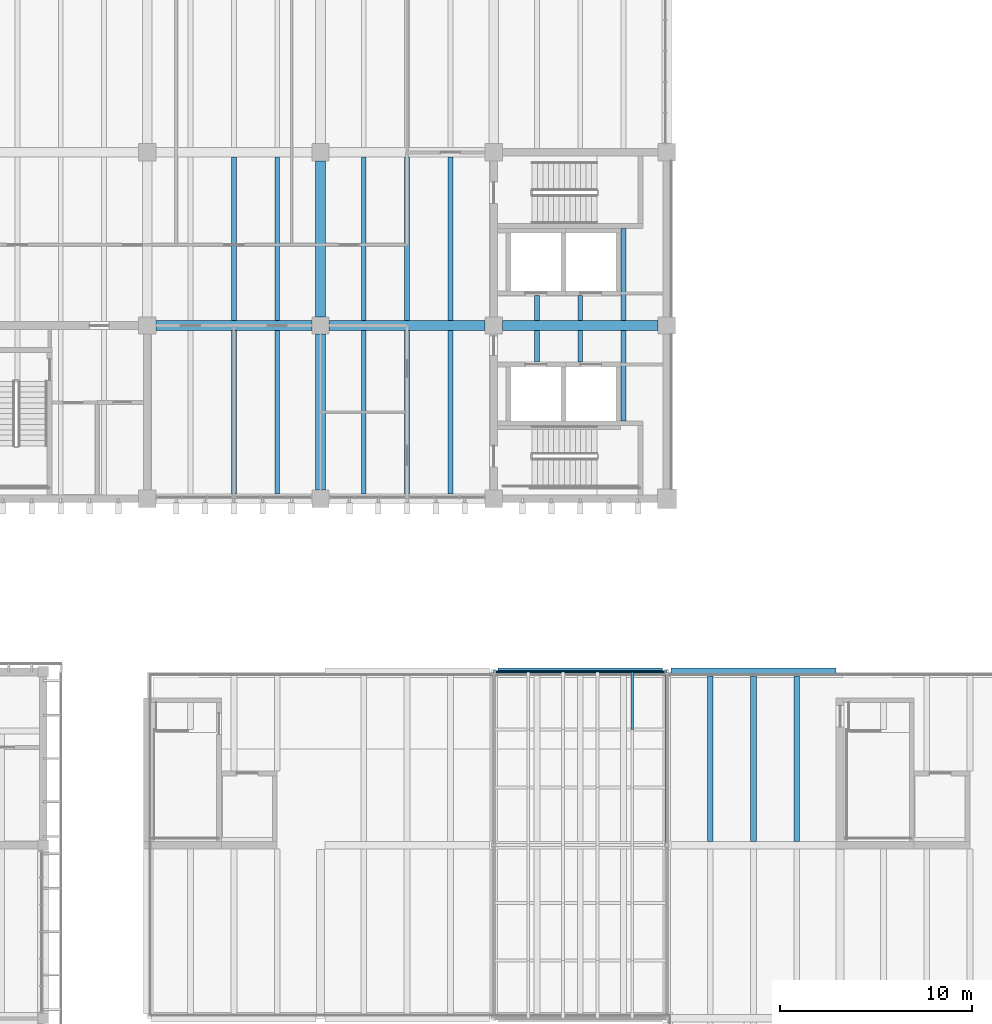
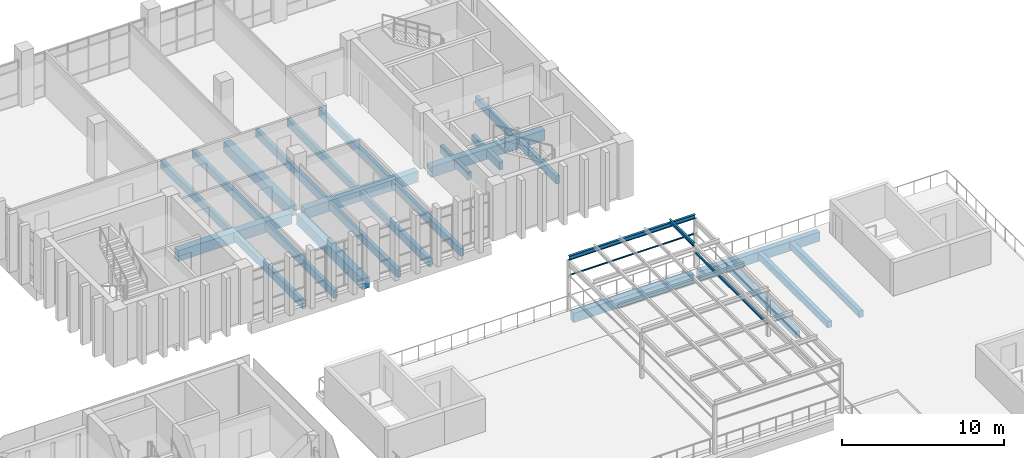
# One storey, part 25 of 74: 27 beams, 3 members.
"""IFC4 building model written with IfcOpenShell, lengths in metres."""

from ifc_helpers import new_model, si_unit, direction, frame, origin, origin_2d, place, context, subcontext, project, spatial, rectangle, hollow_rectangle, hollow_circle, i_section, extrude, material, material_profile, profile_set, type_object, element, save


model = new_model("IFC4")

# Units and contexts
model_context = context("Model", 3, precision=1e-05, world=origin(), true_north=direction((0.0, 1.0)))
body_context = subcontext(model_context, "Body", "Model", "MODEL_VIEW")
ifc_project = project(units=[si_unit("LENGTHUNIT", "METRE"), si_unit("AREAUNIT", "SQUARE_METRE"), si_unit("VOLUMEUNIT", "CUBIC_METRE"), si_unit("PLANEANGLEUNIT", "RADIAN"), si_unit("MASSUNIT", "GRAM", prefix="KILO")], contexts=[model_context])

# Site, building, storey
site_placement = place(None, origin())
site = spatial("IfcSite", under=ifc_project, at=site_placement, CompositionType="ELEMENT")
building_placement = place(site_placement, origin())
building = spatial("IfcBuilding", under=site, at=building_placement, Name="Merrow Basin Faculty of Sciences", CompositionType="ELEMENT")
storey_placement = place(building_placement, frame((0.0, 0.0, 13.5)))
storey = spatial("IfcBuildingStorey", under=building, at=storey_placement, Name="L03", CompositionType="ELEMENT", Elevation=13.5)

# Beams
ifc_material_1 = material(Name="Concrete C40/50", Category="concrete")
ifc_material_profile_1 = material_profile(ifc_material_1, rectangle(XDim=0.39990234375, YDim=0.699951171875, at=origin_2d()))
ifc_profile_set_1 = profile_set([ifc_material_profile_1], Name="Concrete C40/50")
beam_type_1 = type_object("IfcBeamType", Name="Beam RC400x700 C40/50", PredefinedType="BEAM", material=ifc_profile_set_1)
for number, where, z_axis, x_axis, name in (
    (1, (45.22509765625, 133.0, -0.699951171875), (1.0, 0.0, 0.0), (0.0, 1.0, 0.0), "B3 L03 018"),
    (2, (54.22509765625, 133.0, -0.699951171875), (1.0, 0.0, 0.0), (0.0, 1.0, 0.0), "B3 L03 019"),
):
    element("IfcBeam", number, at=place(storey_placement, frame(where, z_axis=z_axis, x_axis=x_axis)), inside=storey, type_object=beam_type_1, Name=name, PredefinedType="BEAM", context=body_context, shape_type="SweptSolid", body=[
        extrude(rectangle(XDim=0.39990234375, YDim=0.699951171875, at=origin_2d()), origin(), (0.0, 0.0, 1.0), 8.5498046875),
    ])
ifc_material_2 = material(Name="Concrete C40/50", Category="concrete")
ifc_material_profile_2 = material_profile(ifc_material_2, rectangle(XDim=0.5, YDim=0.800048828125, at=origin_2d()))
ifc_profile_set_2 = profile_set([ifc_material_profile_2], Name="Concrete C40/50")
beam_type_2 = type_object("IfcBeamType", Name="Beam RC500x800 C40/50", PredefinedType="BEAM", material=ifc_profile_set_2)
for number, where, z_axis, x_axis, name in (
    (3, (27.449951171875, 151.0, -0.699951171875), (1.0, 0.0, 0.0), (0.0, 1.0, 0.0), "B4 L03 003"),
    (4, (36.449951171875, 151.0, -0.699951171875), (1.0, 0.0, 0.0), (0.0, 1.0, 0.0), "B4 L03 004"),
    (5, (45.449951171875, 151.0, -0.699951171875), (1.0, 0.0, 0.0), (0.0, 1.0, 0.0), "B4 L03 005"),
    (6, (36.0, 142.449951171875, -0.699951171875), (0.0, 1.0, 0.0), (-1.0, 0.0, 0.0), "B4 L03 017"),
    (7, (36.0, 151.449951171875, -0.699951171875), (0.0, 1.0, 0.0), (-1.0, 0.0, 0.0), "B4 L03 018"),
):
    element("IfcBeam", number, at=place(storey_placement, frame(where, z_axis=z_axis, x_axis=x_axis)), inside=storey, type_object=beam_type_2, Name=name, PredefinedType="BEAM", context=body_context, shape_type="SweptSolid", body=[
        extrude(rectangle(XDim=0.5, YDim=0.800048828125, at=origin_2d()), origin(), (0.0, 0.0, 1.0), 8.10009765625),
    ])
ifc_material_3 = material(Name="Concrete C40/50", Category="concrete")
ifc_material_profile_3 = material_profile(ifc_material_3, rectangle(XDim=0.300048828125, YDim=0.5, at=origin_2d()))
ifc_profile_set_3 = profile_set([ifc_material_profile_3], Name="Concrete C40/50")
beam_type_3 = type_object("IfcBeamType", Name="Terrace roof joist RC300x500 C40/50", PredefinedType="BEAM", material=ifc_profile_set_3)
for number, where, z_axis, x_axis, name in (
    (8, (56.25, 124.199951171875, -0.60009765625), (0.0, 1.0, 0.0), (-1.0, 0.0, 0.0), "JD1 L03 092"),
    (9, (58.5, 124.199951171875, -0.60009765625), (0.0, 1.0, 0.0), (-1.0, 0.0, 0.0), "JD1 L03 093"),
    (10, (60.75, 124.199951171875, -0.60009765625), (0.0, 1.0, 0.0), (-1.0, 0.0, 0.0), "JD1 L03 094"),
):
    element("IfcBeam", number, at=place(storey_placement, frame(where, z_axis=z_axis, x_axis=x_axis)), inside=storey, type_object=beam_type_3, Name=name, PredefinedType="BEAM", context=body_context, shape_type="SweptSolid", body=[
        extrude(rectangle(XDim=0.300048828125, YDim=0.5, at=origin_2d()), origin(), (0.0, 0.0, 1.0), 8.60009765625),
    ])
ifc_material_4 = material(Name="Concrete C40/50", Category="concrete")
ifc_material_profile_4 = material_profile(ifc_material_4, rectangle(XDim=0.25, YDim=0.60009765625, at=origin_2d()))
ifc_profile_set_4 = profile_set([ifc_material_profile_4], Name="Concrete C40/50")
beam_type_4 = type_object("IfcBeamType", Name="Tower floor joist RC250x600 C40/50", PredefinedType="BEAM", material=ifc_profile_set_4)
for number, where, z_axis, x_axis, name in (
    (11, (31.5, 142.25, -0.60009765625), (0.0, 1.0, 0.0), (-1.0, 0.0, 0.0), "JT1 L03 033"),
    (12, (33.75, 142.25, -0.60009765625), (0.0, 1.0, 0.0), (-1.0, 0.0, 0.0), "JT1 L03 034"),
    (13, (31.5, 151.25, -0.60009765625), (0.0, 1.0, 0.0), (-1.0, 0.0, 0.0), "JT1 L03 036"),
    (14, (33.75, 151.25, -0.60009765625), (0.0, 1.0, 0.0), (-1.0, 0.0, 0.0), "JT1 L03 037"),
    (15, (38.25, 142.25, -0.60009765625), (0.0, 1.0, 0.0), (-1.0, 0.0, 0.0), "JT1 L03 041"),
    (16, (40.5, 142.25, -0.60009765625), (0.0, 1.0, 0.0), (-1.0, 0.0, 0.0), "JT1 L03 042"),
    (17, (42.75, 142.25, -0.60009765625), (0.0, 1.0, 0.0), (-1.0, 0.0, 0.0), "JT1 L03 043"),
    (18, (38.25, 151.25, -0.60009765625), (0.0, 1.0, 0.0), (-1.0, 0.0, 0.0), "JT1 L03 044"),
    (19, (40.5, 151.25, -0.60009765625), (0.0, 1.0, 0.0), (-1.0, 0.0, 0.0), "JT1 L03 045"),
    (20, (42.75, 151.25, -0.60009765625), (0.0, 1.0, 0.0), (-1.0, 0.0, 0.0), "JT1 L03 046"),
):
    element("IfcBeam", number, at=place(storey_placement, frame(where, z_axis=z_axis, x_axis=x_axis)), inside=storey, type_object=beam_type_4, Name=name, PredefinedType="BEAM", context=body_context, shape_type="SweptSolid", body=[
        extrude(rectangle(XDim=0.25, YDim=0.60009765625, at=origin_2d()), origin(), (0.0, 0.0, 1.0), 8.5),
    ])
for number, where, z_axis, x_axis, name in (
    (21, (47.25, 149.10009765625, -0.60009765625), (0.0, 1.0, 0.0), (-1.0, 0.0, 0.0), "JT1 L03 050"),
    (22, (49.5, 149.10009765625, -0.60009765625), (0.0, 1.0, 0.0), (-1.0, 0.0, 0.0), "JT1 L03 051"),
):
    element("IfcBeam", number, at=place(storey_placement, frame(where, z_axis=z_axis, x_axis=x_axis)), inside=storey, type_object=beam_type_4, Name=name, PredefinedType="BEAM", context=body_context, shape_type="SweptSolid", body=[
        extrude(rectangle(XDim=0.25, YDim=0.60009765625, at=origin_2d()), origin(), (0.0, 0.0, 1.0), 1.64990234375),
    ])
beam_1_placement = place(storey_placement, frame((51.75, 146.050048828125, -0.60009765625), z_axis=(0.0, 1.0, 0.0), x_axis=(-1.0, 0.0, 0.0)))
element("IfcBeam", 23, at=beam_1_placement, inside=storey, type_object=beam_type_4, Name="JT1 L03 052", PredefinedType="BEAM", context=body_context, shape_type="SweptSolid", body=[
    extrude(rectangle(XDim=0.25, YDim=0.60009765625, at=origin_2d()), origin(), (0.0, 0.0, 1.0), 4.699951171875),
])
for number, where, z_axis, x_axis, name in (
    (24, (47.25, 151.25, -0.60009765625), (0.0, 1.0, 0.0), (-1.0, 0.0, 0.0), "JT1 L03 053"),
    (25, (49.5, 151.25, -0.60009765625), (0.0, 1.0, 0.0), (-1.0, 0.0, 0.0), "JT1 L03 054"),
):
    element("IfcBeam", number, at=place(storey_placement, frame(where, z_axis=z_axis, x_axis=x_axis)), inside=storey, type_object=beam_type_4, Name=name, PredefinedType="BEAM", context=body_context, shape_type="SweptSolid", body=[
        extrude(rectangle(XDim=0.25, YDim=0.60009765625, at=origin_2d()), origin(), (0.0, 0.0, 1.0), 1.300048828125),
    ])
beam_2_placement = place(storey_placement, frame((51.75, 151.25, -0.60009765625), z_axis=(0.0, 1.0, 0.0), x_axis=(-1.0, 0.0, 0.0)))
element("IfcBeam", 26, at=beam_2_placement, inside=storey, type_object=beam_type_4, Name="JT1 L03 055", PredefinedType="BEAM", context=body_context, shape_type="SweptSolid", body=[
    extrude(rectangle(XDim=0.25, YDim=0.60009765625, at=origin_2d()), origin(), (0.0, 0.0, 1.0), 4.800048828125),
])

# Members
ifc_material_5 = material(Name="Steel ASTM A500 Gr C", Category="steel")
ifc_material_profile_5 = material_profile(ifc_material_5, hollow_circle(Radius=0.05712890625, WallThickness=0.00634765625, at=origin_2d()))
ifc_profile_set_5 = profile_set([ifc_material_profile_5], Name="Steel ASTM A500 Gr C")
member_type_1 = type_object("IfcMemberType", Name="Trellis brace CHS114x6.4", PredefinedType="BRACE", material=ifc_profile_set_5)
member_1_placement = place(storey_placement, frame((45.117919921875, 133.0, 2.492919921875), z_axis=(1.0, 0.0, 0.0), x_axis=(0.0, 1.0, 0.0)))
element("IfcMember", 27, at=member_1_placement, inside=storey, type_object=member_type_1, Name="TB1 L03 026", PredefinedType="BRACE", context=body_context, shape_type="SweptSolid", body=[
    extrude(hollow_circle(Radius=0.05712890625, WallThickness=0.00634765625, at=origin_2d()), origin(), (0.0, 0.0, 1.0), 8.76416015625),
])
ifc_material_6 = material(Name="Steel ASTM A500 Gr C", Category="steel")
ifc_material_profile_6 = material_profile(ifc_material_6, hollow_rectangle(XDim=0.126953125, YDim=0.126953125, WallThickness=0.00634765625, at=origin_2d()))
ifc_profile_set_6 = profile_set([ifc_material_profile_6], Name="Steel ASTM A500 Gr C")
member_type_2 = type_object("IfcMemberType", Name="Trellis kick rail HSS127x127x6.4", PredefinedType="MEMBER", material=ifc_profile_set_6)
member_2_placement = place(storey_placement, frame((54.0, 124.117919921875, 1.10009765625), z_axis=(0.0, 1.0, 0.0), x_axis=(-1.0, 0.0, 0.0)))
element("IfcMember", 28, at=member_2_placement, inside=storey, type_object=member_type_2, Name="TK1 L03 034", PredefinedType="MEMBER", context=body_context, shape_type="SweptSolid", body=[
    extrude(hollow_rectangle(XDim=0.126953125, YDim=0.126953125, WallThickness=0.00634765625, at=origin_2d()), origin(), (0.0, 0.0, 1.0), 8.76513671875),
])

# Beam
ifc_material_7 = material(Name="Steel ASTM A992", Category="steel")
ifc_material_profile_7 = material_profile(ifc_material_7, i_section(OverallWidth=0.1650390625, OverallDepth=0.31005859375, WebThickness=0.005859375, FlangeThickness=0.009765625, at=origin_2d()))
ifc_profile_set_7 = profile_set([ifc_material_profile_7], Name="Steel ASTM A992")
beam_type_5 = type_object("IfcBeamType", Name="Trellis purlin beam W310x39", PredefinedType="BEAM", material=ifc_profile_set_7)
beam_3_placement = place(storey_placement, frame((45.0, 133.0, 3.804931640625), z_axis=(1.0, 0.0, 0.0), x_axis=(0.0, 1.0, 0.0)))
element("IfcBeam", 29, at=beam_3_placement, inside=storey, type_object=beam_type_5, Name="TP1 L03 052", PredefinedType="BEAM", context=body_context, shape_type="SweptSolid", body=[
    extrude(i_section(OverallWidth=0.1650390625, OverallDepth=0.31005859375, WebThickness=0.005859375, FlangeThickness=0.009765625, at=origin_2d()), origin(), (0.0, 0.0, 1.0), 9.0),
])

# Member
ifc_material_8 = material(Name="Steel ASTM A992", Category="steel")
ifc_material_profile_8 = material_profile(ifc_material_8, i_section(OverallWidth=0.14599609375, OverallDepth=0.258056640625, WebThickness=0.006103515625, FlangeThickness=0.009033203125, at=origin_2d()))
ifc_profile_set_8 = profile_set([ifc_material_profile_8], Name="Steel ASTM A992")
member_type_3 = type_object("IfcMemberType", Name="Trellis rafter W250x33", PredefinedType="RAFTER", material=ifc_profile_set_8)
member_3_placement = place(storey_placement, frame((52.199951171875, 130.0, 4.089111328125), z_axis=(0.0, 1.0, 0.0), x_axis=(-1.0, 0.0, 0.0)))
element("IfcMember", 30, at=member_3_placement, inside=storey, type_object=member_type_3, Name="TR1 L03 024", PredefinedType="RAFTER", context=body_context, shape_type="SweptSolid", body=[
    extrude(i_section(OverallWidth=0.14599609375, OverallDepth=0.258056640625, WebThickness=0.006103515625, FlangeThickness=0.009033203125, at=origin_2d()), origin(), (0.0, 0.0, 1.0), 3.0),
])

save(model, "model.ifc")
